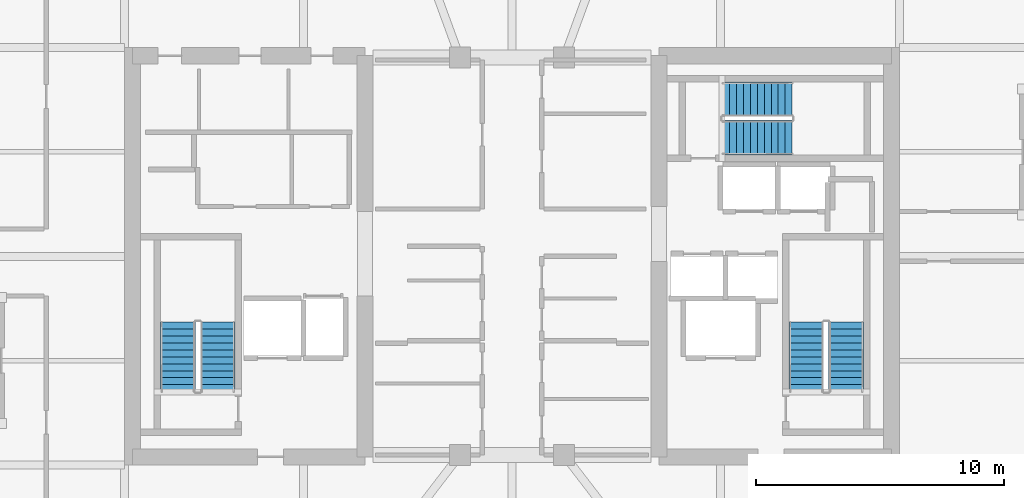
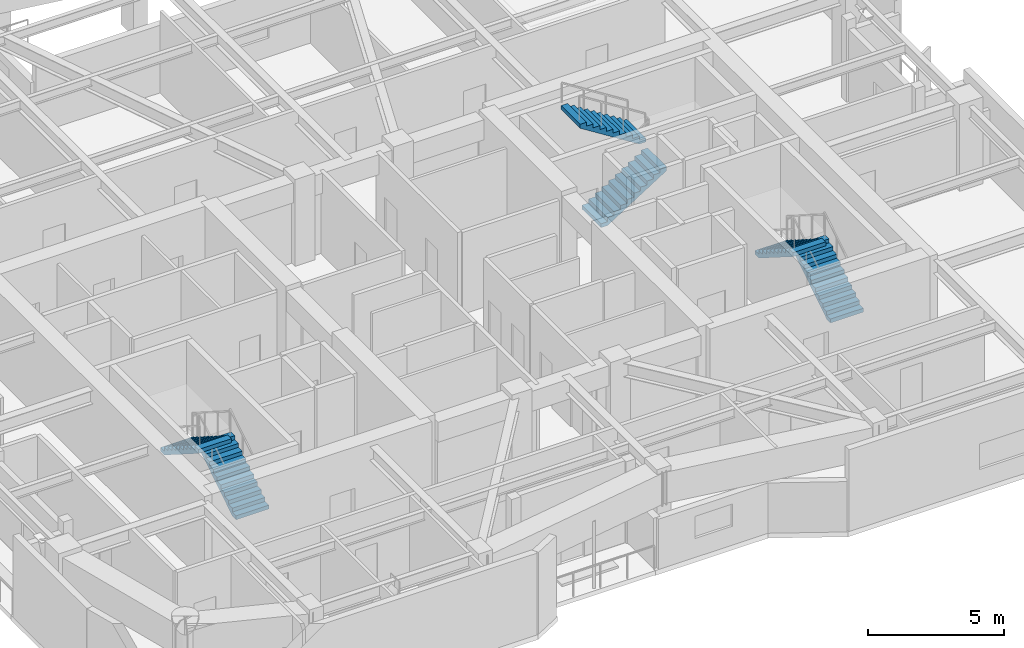
# One storey, part 19 of 22: 6 stair flights, 3 elements without a shape of their own.
"""IFC4 building model written with IfcOpenShell, lengths in metres."""

from ifc_helpers import new_model, si_unit, direction, frame, origin, place, context, subcontext, project, spatial, polyline, outline, extrude, material, type_object, element, aggregate, save


model = new_model("IFC4")

# Units and contexts
model_context = context("Model", 3, precision=1e-05, world=origin(), true_north=direction((0.0, 1.0)))
body_context = subcontext(model_context, "Body", "Model", "MODEL_VIEW")
ifc_project = project(units=[si_unit("LENGTHUNIT", "METRE"), si_unit("AREAUNIT", "SQUARE_METRE"), si_unit("VOLUMEUNIT", "CUBIC_METRE"), si_unit("PLANEANGLEUNIT", "RADIAN"), si_unit("MASSUNIT", "GRAM", prefix="KILO")], contexts=[model_context])

# Site, building, storey
site_placement = place(None, origin())
site = spatial("IfcSite", under=ifc_project, at=site_placement, CompositionType="ELEMENT")
building_placement = place(site_placement, origin())
building = spatial("IfcBuilding", under=site, at=building_placement, Name="Kiyonajd Concourse Tower", CompositionType="ELEMENT")
storey_placement = place(building_placement, frame((0.0, 0.0, 243.300048828125)))
storey = spatial("IfcBuildingStorey", under=building, at=storey_placement, Name="L61", CompositionType="ELEMENT", Elevation=243.300048828125)

# Stair, stair flights
ifc_material = material(Name="Concrete C40/50", Category="concrete")
stair_type = type_object("IfcStairType", Name="ST-DLG-22R", PredefinedType="HALF_TURN_STAIR", material=ifc_material)
stair_1_placement = place(storey_placement, origin())
stair_1 = element("IfcStair", 1, at=stair_1_placement, inside=storey, type_object=stair_type, Name="L61 Protected Exit Stair ST1", PredefinedType="HALF_TURN_STAIR")
stair_flight_type = type_object("IfcStairFlightType", Name="SF-STR-22R", PredefinedType="STRAIGHT", material=ifc_material)
stair_flight_1_placement = place(storey_placement, frame((36.14990234375, 30.550048828125, 0.0), z_axis=(0.0, 0.0, 1.0), x_axis=(0.0, 1.0, 0.0)))
stair_flight_1 = element("IfcStairFlight", 2, at=stair_flight_1_placement, type_object=stair_flight_type, Name="ST1 flight 1", NumberOfRisers=11, NumberOfTreads=10, PredefinedType="STRAIGHT", RiserHeight=0.177272727, TreadLength=0.28, context=body_context, shape_type="SweptSolid", body=[
    extrude(outline(polyline([(0.0, 0.0), (0.0, 0.17724609375), (0.280029296875, 0.17724609375), (0.280029296875, 0.3544921875), (0.56005859375, 0.3544921875), (0.56005859375, 0.53173828125), (0.840087890625, 0.53173828125), (0.840087890625, 0.708984375), (1.1201171875, 0.708984375), (1.1201171875, 0.886474609375), (1.39990234375, 0.886474609375), (1.39990234375, 1.063720703125), (1.679931640625, 1.063720703125), (1.679931640625, 1.240966796875), (1.9599609375, 1.240966796875), (1.9599609375, 1.418212890625), (2.239990234375, 1.418212890625), (2.239990234375, 1.595458984375), (2.52001953125, 1.595458984375), (2.52001953125, 1.772705078125), (2.800048828125, 1.772705078125), (2.800048828125, 1.949951171875), (2.800048828125, 1.59521484375), (0.2802734375, 0.0), (0.0, 0.0)])), frame((0.0, 0.699951171875, 0.0), z_axis=(0.0, -1.0, 0.0), x_axis=(1.0, 0.0, 0.0)), (0.0, 0.0, 1.0), 1.39990234375),
])
stair_flight_2_placement = place(storey_placement, frame((34.550048828125, 33.35009765625, 1.949951171875), z_axis=(0.0, 0.0, 1.0), x_axis=(0.0, -1.0, 0.0)))
stair_flight_2 = element("IfcStairFlight", 3, at=stair_flight_2_placement, type_object=stair_flight_type, Name="ST1 flight 2", NumberOfRisers=11, NumberOfTreads=10, PredefinedType="STRAIGHT", RiserHeight=0.177272727, TreadLength=0.28, context=body_context, shape_type="SweptSolid", body=[
    extrude(outline(polyline([(0.0, 0.0), (0.0, 0.17724609375), (0.280029296875, 0.17724609375), (0.280029296875, 0.3544921875), (0.56005859375, 0.3544921875), (0.56005859375, 0.53173828125), (0.840087890625, 0.53173828125), (0.840087890625, 0.708984375), (1.1201171875, 0.708984375), (1.1201171875, 0.886474609375), (1.39990234375, 0.886474609375), (1.39990234375, 1.063720703125), (1.679931640625, 1.063720703125), (1.679931640625, 1.240966796875), (1.9599609375, 1.240966796875), (1.9599609375, 1.418212890625), (2.239990234375, 1.418212890625), (2.239990234375, 1.595458984375), (2.52001953125, 1.595458984375), (2.52001953125, 1.772705078125), (2.800048828125, 1.772705078125), (2.800048828125, 1.949951171875), (2.800048828125, 1.59521484375), (0.2802734375, 0.0), (0.0, 0.0)])), frame((0.0, 0.699951171875, 0.0), z_axis=(0.0, -1.0, 0.0), x_axis=(1.0, 0.0, 0.0)), (0.0, 0.0, 1.0), 1.39990234375),
])
aggregate(stair_1, [stair_flight_1, stair_flight_2])

stair_2_placement = place(storey_placement, origin())
stair_2 = element("IfcStair", 4, at=stair_2_placement, inside=storey, type_object=stair_type, Name="L61 Protected Exit Stair ST2", PredefinedType="HALF_TURN_STAIR")
stair_flight_3_placement = place(storey_placement, frame((61.449951171875, 30.550048828125, 0.0), z_axis=(0.0, 0.0, 1.0), x_axis=(0.0, 1.0, 0.0)))
stair_flight_3 = element("IfcStairFlight", 5, at=stair_flight_3_placement, type_object=stair_flight_type, Name="ST2 flight 1", NumberOfRisers=11, NumberOfTreads=10, PredefinedType="STRAIGHT", RiserHeight=0.177272727, TreadLength=0.28, context=body_context, shape_type="SweptSolid", body=[
    extrude(outline(polyline([(0.0, 0.0), (0.0, 0.17724609375), (0.280029296875, 0.17724609375), (0.280029296875, 0.3544921875), (0.56005859375, 0.3544921875), (0.56005859375, 0.53173828125), (0.840087890625, 0.53173828125), (0.840087890625, 0.708984375), (1.1201171875, 0.708984375), (1.1201171875, 0.886474609375), (1.39990234375, 0.886474609375), (1.39990234375, 1.063720703125), (1.679931640625, 1.063720703125), (1.679931640625, 1.240966796875), (1.9599609375, 1.240966796875), (1.9599609375, 1.418212890625), (2.239990234375, 1.418212890625), (2.239990234375, 1.595458984375), (2.52001953125, 1.595458984375), (2.52001953125, 1.772705078125), (2.800048828125, 1.772705078125), (2.800048828125, 1.949951171875), (2.800048828125, 1.59521484375), (0.2802734375, 0.0), (0.0, 0.0)])), frame((0.0, 0.699951171875, 0.0), z_axis=(0.0, -1.0, 0.0), x_axis=(1.0, 0.0, 0.0)), (0.0, 0.0, 1.0), 1.39990234375),
])
stair_flight_4_placement = place(storey_placement, frame((59.85009765625, 33.35009765625, 1.949951171875), z_axis=(0.0, 0.0, 1.0), x_axis=(0.0, -1.0, 0.0)))
stair_flight_4 = element("IfcStairFlight", 6, at=stair_flight_4_placement, type_object=stair_flight_type, Name="ST2 flight 2", NumberOfRisers=11, NumberOfTreads=10, PredefinedType="STRAIGHT", RiserHeight=0.177272727, TreadLength=0.28, context=body_context, shape_type="SweptSolid", body=[
    extrude(outline(polyline([(0.0, 0.0), (0.0, 0.17724609375), (0.280029296875, 0.17724609375), (0.280029296875, 0.3544921875), (0.56005859375, 0.3544921875), (0.56005859375, 0.53173828125), (0.840087890625, 0.53173828125), (0.840087890625, 0.708984375), (1.1201171875, 0.708984375), (1.1201171875, 0.886474609375), (1.39990234375, 0.886474609375), (1.39990234375, 1.063720703125), (1.679931640625, 1.063720703125), (1.679931640625, 1.240966796875), (1.9599609375, 1.240966796875), (1.9599609375, 1.418212890625), (2.239990234375, 1.418212890625), (2.239990234375, 1.595458984375), (2.52001953125, 1.595458984375), (2.52001953125, 1.772705078125), (2.800048828125, 1.772705078125), (2.800048828125, 1.949951171875), (2.800048828125, 1.59521484375), (0.2802734375, 0.0), (0.0, 0.0)])), frame((0.0, 0.699951171875, 0.0), z_axis=(0.0, -1.0, 0.0), x_axis=(1.0, 0.0, 0.0)), (0.0, 0.0, 1.0), 1.39990234375),
])
aggregate(stair_2, [stair_flight_3, stair_flight_4])

stair_3_placement = place(storey_placement, origin())
stair_3 = element("IfcStair", 7, at=stair_3_placement, inside=storey, type_object=stair_type, Name="L61 Protected Exit Stair ST3", PredefinedType="HALF_TURN_STAIR")
stair_flight_5_placement = place(storey_placement, frame((56.47998046875, 40.780029296875, 0.0), z_axis=(0.0, 0.0, 1.0), x_axis=(1.0, 0.0, 0.0)))
stair_flight_5 = element("IfcStairFlight", 8, at=stair_flight_5_placement, type_object=stair_flight_type, Name="ST3 flight 1", NumberOfRisers=11, NumberOfTreads=10, PredefinedType="STRAIGHT", RiserHeight=0.177272727, TreadLength=0.28, context=body_context, shape_type="SweptSolid", body=[
    extrude(outline(polyline([(0.0, 0.0), (0.0, 0.17724609375), (0.280029296875, 0.17724609375), (0.280029296875, 0.3544921875), (0.56005859375, 0.3544921875), (0.56005859375, 0.53173828125), (0.840087890625, 0.53173828125), (0.840087890625, 0.708984375), (1.1201171875, 0.708984375), (1.1201171875, 0.886474609375), (1.39990234375, 0.886474609375), (1.39990234375, 1.063720703125), (1.679931640625, 1.063720703125), (1.679931640625, 1.240966796875), (1.9599609375, 1.240966796875), (1.9599609375, 1.418212890625), (2.239990234375, 1.418212890625), (2.239990234375, 1.595458984375), (2.52001953125, 1.595458984375), (2.52001953125, 1.772705078125), (2.800048828125, 1.772705078125), (2.800048828125, 1.949951171875), (2.800048828125, 1.59521484375), (0.2802734375, 0.0), (0.0, 0.0)])), frame((0.0, 0.699951171875, 0.0), z_axis=(0.0, -1.0, 0.0), x_axis=(1.0, 0.0, 0.0)), (0.0, 0.0, 1.0), 1.39990234375),
])
stair_flight_6_placement = place(storey_placement, frame((59.280029296875, 42.320068359375, 1.949951171875), z_axis=(0.0, 0.0, 1.0), x_axis=(-1.0, 0.0, 0.0)))
stair_flight_6 = element("IfcStairFlight", 9, at=stair_flight_6_placement, type_object=stair_flight_type, Name="ST3 flight 2", NumberOfRisers=11, NumberOfTreads=10, PredefinedType="STRAIGHT", RiserHeight=0.177272727, TreadLength=0.28, context=body_context, shape_type="SweptSolid", body=[
    extrude(outline(polyline([(0.0, 0.0), (0.0, 0.17724609375), (0.280029296875, 0.17724609375), (0.280029296875, 0.3544921875), (0.56005859375, 0.3544921875), (0.56005859375, 0.53173828125), (0.840087890625, 0.53173828125), (0.840087890625, 0.708984375), (1.1201171875, 0.708984375), (1.1201171875, 0.886474609375), (1.39990234375, 0.886474609375), (1.39990234375, 1.063720703125), (1.679931640625, 1.063720703125), (1.679931640625, 1.240966796875), (1.9599609375, 1.240966796875), (1.9599609375, 1.418212890625), (2.239990234375, 1.418212890625), (2.239990234375, 1.595458984375), (2.52001953125, 1.595458984375), (2.52001953125, 1.772705078125), (2.800048828125, 1.772705078125), (2.800048828125, 1.949951171875), (2.800048828125, 1.59521484375), (0.2802734375, 0.0), (0.0, 0.0)])), frame((0.0, 0.699951171875, 0.0), z_axis=(0.0, -1.0, 0.0), x_axis=(1.0, 0.0, 0.0)), (0.0, 0.0, 1.0), 1.39990234375),
])
aggregate(stair_3, [stair_flight_5, stair_flight_6])

save(model, "model.ifc")
